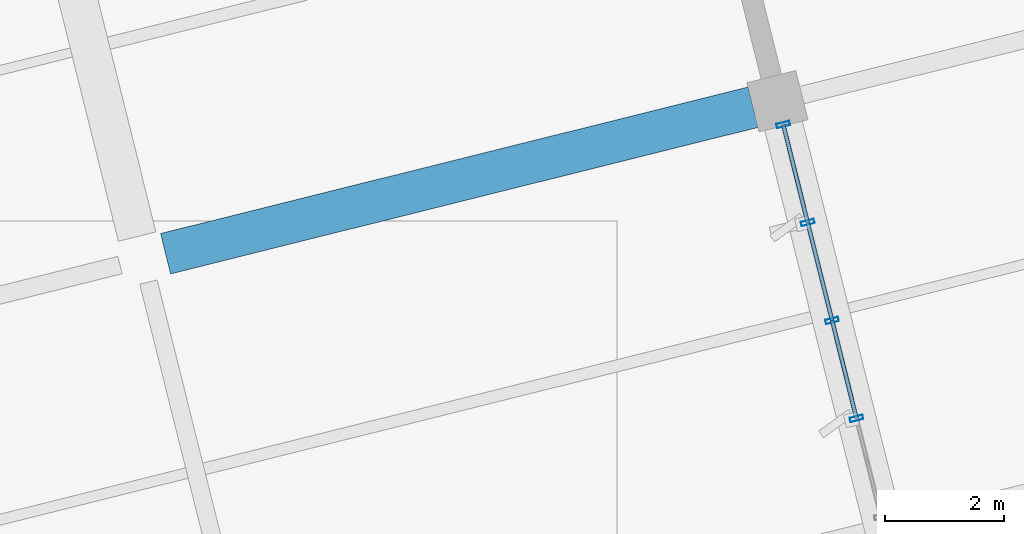
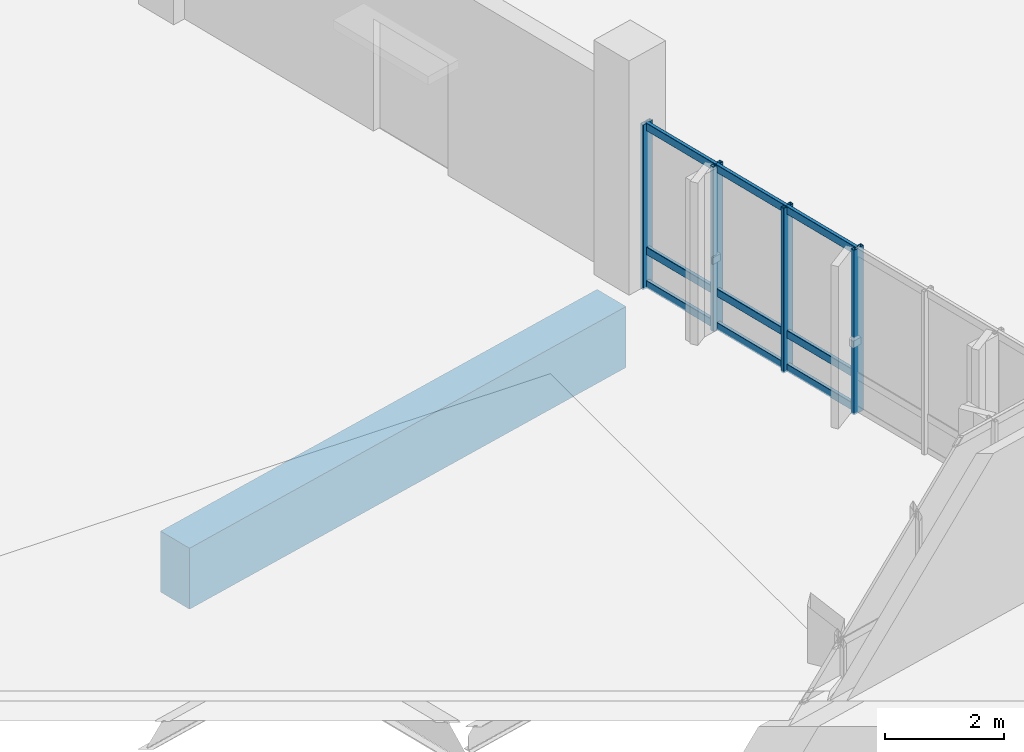
# One storey, part 74 of 137: 13 members, 1 beam, 1 element without a shape of its own.
"""IFC4 building model written with IfcOpenShell, lengths in metres."""

from ifc_helpers import new_model, si_unit, direction, frame, origin, origin_2d, place, context, subcontext, project, spatial, rectangle, hollow_rectangle, extrude, material, layer, layer_set, material_profile, profile_set, type_object, element, aggregate, save


model = new_model("IFC4")

# Units and contexts
model_context = context("Model", 3, precision=1e-05, world=origin(), true_north=direction((0.0, 1.0)))
body_context = subcontext(model_context, "Body", "Model", "MODEL_VIEW")
ifc_project = project(units=[si_unit("LENGTHUNIT", "METRE"), si_unit("AREAUNIT", "SQUARE_METRE"), si_unit("VOLUMEUNIT", "CUBIC_METRE"), si_unit("PLANEANGLEUNIT", "RADIAN"), si_unit("MASSUNIT", "GRAM", prefix="KILO")], contexts=[model_context])

# Site, building, storey
site_placement = place(None, origin())
site = spatial("IfcSite", under=ifc_project, at=site_placement, CompositionType="ELEMENT")
building_placement = place(site_placement, origin())
building = spatial("IfcBuilding", under=site, at=building_placement, Name="Khorjan Park Terminus", CompositionType="ELEMENT")
storey_placement = place(building_placement, frame((0.0, 0.0, 11.4)))
storey = spatial("IfcBuildingStorey", under=building, at=storey_placement, Name="L02", CompositionType="ELEMENT", Elevation=11.4)

# Beam
ifc_material_1 = material(Name="Concrete C40/50", Category="concrete")
ifc_material_profile_1 = material_profile(ifc_material_1, rectangle(XDim=0.7, YDim=1.25, at=origin_2d()), Name="RC 700x1250")
ifc_profile_set_1 = profile_set([ifc_material_profile_1], Name="Concrete C40/50")
beam_type = type_object("IfcBeamType", Name="BM-RC700x1250", PredefinedType="BEAM", material=ifc_profile_set_1)
beam_placement = place(storey_placement, frame((166.412, 47.4497, -0.895), z_axis=(0.970294782603, 0.241925680435, 0.0), x_axis=(-0.241925680435, 0.970294782603, 0.0)))
element("IfcBeam", 1, at=beam_placement, inside=storey, type_object=beam_type, Name="Primary skew-grid floor girder GB-125 (L02)", PredefinedType="BEAM", context=body_context, shape_type="SweptSolid", body=[
    extrude(rectangle(XDim=0.7, YDim=1.25, at=origin_2d()), origin(), (0.0, 0.0, 1.0), 10.1849),
])

# Curtain wall, members
ifc_material_2 = material(Name="Anodized Bronze Aluminium", Category="aluminium")
ifc_layer = layer(ifc_material_2, 0.22)
ifc_layer_set = layer_set([ifc_layer], Name="Anodized Bronze Aluminium")
curtain_wall_type = type_object("IfcCurtainWallType", Name="CW-OPS-B", PredefinedType="NOTDEFINED", material=ifc_layer_set)
curtain_wall_placement = place(storey_placement, origin())
curtain_wall = element("IfcCurtainWall", 2, at=curtain_wall_placement, inside=storey, type_object=curtain_wall_type, Name="Unitized curtain wall CW-B (CW-V5-NW1-L02-B03)", PredefinedType="NOTDEFINED")
ifc_material_profile_2 = material_profile(ifc_material_2, hollow_rectangle(XDim=0.075, YDim=0.225, WallThickness=0.005, InnerFilletRadius=0.005, OuterFilletRadius=0.01, at=origin_2d()), Name="ALM 75x225x5")
ifc_profile_set_2 = profile_set([ifc_material_profile_2], Name="Anodized Bronze Aluminium")
member_type_1 = type_object("IfcMemberType", Name="ML-ALM-225", PredefinedType="MULLION", material=ifc_profile_set_2)
member_1_placement = place(storey_placement, frame((176.8, 49.622, -0.035), z_axis=(0.0, 0.0, 1.0), x_axis=(0.241921344539, -0.970295863671, 0.0)))
member_1 = element("IfcMember", 3, at=member_1_placement, type_object=member_type_1, Name="Curtain-wall mullion ML-22 (CW-V5-NW1-L02-B03-0)", PredefinedType="MULLION", context=body_context, shape_type="SweptSolid", body=[
    extrude(hollow_rectangle(XDim=0.075, YDim=0.225, WallThickness=0.005, InnerFilletRadius=0.005, OuterFilletRadius=0.01, at=origin_2d()), origin(), (0.0, 0.0, 1.0), 3.375),
])
member_2_placement = place(storey_placement, frame((177.2108, 47.9742, -0.035), z_axis=(0.0, 0.0, 1.0), x_axis=(0.241921344539, -0.970295863671, 0.0)))
member_2 = element("IfcMember", 4, at=member_2_placement, type_object=member_type_1, Name="Curtain-wall mullion ML-22 (CW-V5-NW1-L02-B03-1)", PredefinedType="MULLION", context=body_context, shape_type="SweptSolid", body=[
    extrude(hollow_rectangle(XDim=0.075, YDim=0.225, WallThickness=0.005, InnerFilletRadius=0.005, OuterFilletRadius=0.01, at=origin_2d()), origin(), (0.0, 0.0, 1.0), 3.375),
])
member_3_placement = place(storey_placement, frame((177.6217, 46.3263, -0.035), z_axis=(0.0, 0.0, 1.0), x_axis=(0.241921344539, -0.970295863671, 0.0)))
member_3 = element("IfcMember", 5, at=member_3_placement, type_object=member_type_1, Name="Curtain-wall mullion ML-22 (CW-V5-NW1-L02-B03-2)", PredefinedType="MULLION", context=body_context, shape_type="SweptSolid", body=[
    extrude(hollow_rectangle(XDim=0.075, YDim=0.225, WallThickness=0.005, InnerFilletRadius=0.005, OuterFilletRadius=0.01, at=origin_2d()), origin(), (0.0, 0.0, 1.0), 3.375),
])
member_4_placement = place(storey_placement, frame((178.0326, 44.6785, -0.035), z_axis=(0.0, 0.0, 1.0), x_axis=(0.241921344539, -0.970295863671, 0.0)))
member_4 = element("IfcMember", 6, at=member_4_placement, type_object=member_type_1, Name="Curtain-wall mullion ML-22 (CW-V5-NW1-L02-B03-3)", PredefinedType="MULLION", context=body_context, shape_type="SweptSolid", body=[
    extrude(hollow_rectangle(XDim=0.075, YDim=0.225, WallThickness=0.005, InnerFilletRadius=0.005, OuterFilletRadius=0.01, at=origin_2d()), origin(), (0.0, 0.0, 1.0), 3.375),
])
ifc_material_profile_3 = material_profile(ifc_material_2, hollow_rectangle(XDim=0.07, YDim=0.16, WallThickness=0.004, InnerFilletRadius=0.004, OuterFilletRadius=0.008, at=origin_2d()), Name="ALT 70x160x4")
ifc_profile_set_3 = profile_set([ifc_material_profile_3], Name="Anodized Bronze Aluminium")
member_type_2 = type_object("IfcMemberType", Name="TR-ALT-160", PredefinedType="USERDEFINED", material=ifc_profile_set_3)
member_5_placement = place(storey_placement, frame((176.8, 49.622, 0.04), z_axis=(0.241898232719, -0.970301625788, 0.0), x_axis=(0.970301625788, 0.241898232719, 0.0)))
member_5 = element("IfcMember", 7, at=member_5_placement, type_object=member_type_2, Name="Curtain-wall transom TR-16 (CW-V5-NW1-L02-B03-0-1)", ObjectType="TRANSOM", PredefinedType="USERDEFINED", context=body_context, shape_type="SweptSolid", body=[
    extrude(hollow_rectangle(XDim=0.07, YDim=0.16, WallThickness=0.004, InnerFilletRadius=0.004, OuterFilletRadius=0.008, at=origin_2d()), origin(), (0.0, 0.0, 1.0), 1.6982),
])
member_6_placement = place(storey_placement, frame((176.8, 49.622, 0.727), z_axis=(0.241898232719, -0.970301625788, 0.0), x_axis=(0.970301625788, 0.241898232719, 0.0)))
member_6 = element("IfcMember", 8, at=member_6_placement, type_object=member_type_2, Name="Curtain-wall transom TR-16 (CW-V5-NW1-L02-B03-0-2)", ObjectType="TRANSOM", PredefinedType="USERDEFINED", context=body_context, shape_type="SweptSolid", body=[
    extrude(hollow_rectangle(XDim=0.07, YDim=0.16, WallThickness=0.004, InnerFilletRadius=0.004, OuterFilletRadius=0.008, at=origin_2d()), origin(), (0.0, 0.0, 1.0), 1.6982),
])
member_7_placement = place(storey_placement, frame((176.8, 49.622, 3.265), z_axis=(0.241898232719, -0.970301625788, 0.0), x_axis=(0.970301625788, 0.241898232719, 0.0)))
member_7 = element("IfcMember", 9, at=member_7_placement, type_object=member_type_2, Name="Curtain-wall transom TR-16 (CW-V5-NW1-L02-B03-0-3)", ObjectType="TRANSOM", PredefinedType="USERDEFINED", context=body_context, shape_type="SweptSolid", body=[
    extrude(hollow_rectangle(XDim=0.07, YDim=0.16, WallThickness=0.004, InnerFilletRadius=0.004, OuterFilletRadius=0.008, at=origin_2d()), origin(), (0.0, 0.0, 1.0), 1.6982),
])
member_8_placement = place(storey_placement, frame((177.2108, 47.9742, 0.04), z_axis=(0.241939847504, -0.970291250187, 0.0), x_axis=(0.970291250187, 0.241939847504, 0.0)))
member_8 = element("IfcMember", 10, at=member_8_placement, type_object=member_type_2, Name="Curtain-wall transom TR-16 (CW-V5-NW1-L02-B03-1-1)", ObjectType="TRANSOM", PredefinedType="USERDEFINED", context=body_context, shape_type="SweptSolid", body=[
    extrude(hollow_rectangle(XDim=0.07, YDim=0.16, WallThickness=0.004, InnerFilletRadius=0.004, OuterFilletRadius=0.008, at=origin_2d()), origin(), (0.0, 0.0, 1.0), 1.6984),
])
member_9_placement = place(storey_placement, frame((177.2108, 47.9742, 0.727), z_axis=(0.241939847504, -0.970291250187, 0.0), x_axis=(0.970291250187, 0.241939847504, 0.0)))
member_9 = element("IfcMember", 11, at=member_9_placement, type_object=member_type_2, Name="Curtain-wall transom TR-16 (CW-V5-NW1-L02-B03-1-2)", ObjectType="TRANSOM", PredefinedType="USERDEFINED", context=body_context, shape_type="SweptSolid", body=[
    extrude(hollow_rectangle(XDim=0.07, YDim=0.16, WallThickness=0.004, InnerFilletRadius=0.004, OuterFilletRadius=0.008, at=origin_2d()), origin(), (0.0, 0.0, 1.0), 1.6984),
])
member_10_placement = place(storey_placement, frame((177.2108, 47.9742, 3.265), z_axis=(0.241939847504, -0.970291250187, 0.0), x_axis=(0.970291250187, 0.241939847504, 0.0)))
member_10 = element("IfcMember", 12, at=member_10_placement, type_object=member_type_2, Name="Curtain-wall transom TR-16 (CW-V5-NW1-L02-B03-1-3)", ObjectType="TRANSOM", PredefinedType="USERDEFINED", context=body_context, shape_type="SweptSolid", body=[
    extrude(hollow_rectangle(XDim=0.07, YDim=0.16, WallThickness=0.004, InnerFilletRadius=0.004, OuterFilletRadius=0.008, at=origin_2d()), origin(), (0.0, 0.0, 1.0), 1.6984),
])
member_11_placement = place(storey_placement, frame((177.6217, 46.3263, 0.04), z_axis=(0.241953670584, -0.97028780333, 0.0), x_axis=(0.97028780333, 0.241953670584, 0.0)))
member_11 = element("IfcMember", 13, at=member_11_placement, type_object=member_type_2, Name="Curtain-wall transom TR-16 (CW-V5-NW1-L02-B03-2-1)", ObjectType="TRANSOM", PredefinedType="USERDEFINED", context=body_context, shape_type="SweptSolid", body=[
    extrude(hollow_rectangle(XDim=0.07, YDim=0.16, WallThickness=0.004, InnerFilletRadius=0.004, OuterFilletRadius=0.008, at=origin_2d()), origin(), (0.0, 0.0, 1.0), 1.6983),
])
member_12_placement = place(storey_placement, frame((177.6217, 46.3263, 0.727), z_axis=(0.241953670584, -0.97028780333, 0.0), x_axis=(0.97028780333, 0.241953670584, 0.0)))
member_12 = element("IfcMember", 14, at=member_12_placement, type_object=member_type_2, Name="Curtain-wall transom TR-16 (CW-V5-NW1-L02-B03-2-2)", ObjectType="TRANSOM", PredefinedType="USERDEFINED", context=body_context, shape_type="SweptSolid", body=[
    extrude(hollow_rectangle(XDim=0.07, YDim=0.16, WallThickness=0.004, InnerFilletRadius=0.004, OuterFilletRadius=0.008, at=origin_2d()), origin(), (0.0, 0.0, 1.0), 1.6983),
])
member_13_placement = place(storey_placement, frame((177.6217, 46.3263, 3.265), z_axis=(0.241953670584, -0.97028780333, 0.0), x_axis=(0.97028780333, 0.241953670584, 0.0)))
member_13 = element("IfcMember", 15, at=member_13_placement, type_object=member_type_2, Name="Curtain-wall transom TR-16 (CW-V5-NW1-L02-B03-2-3)", ObjectType="TRANSOM", PredefinedType="USERDEFINED", context=body_context, shape_type="SweptSolid", body=[
    extrude(hollow_rectangle(XDim=0.07, YDim=0.16, WallThickness=0.004, InnerFilletRadius=0.004, OuterFilletRadius=0.008, at=origin_2d()), origin(), (0.0, 0.0, 1.0), 1.6983),
])
aggregate(curtain_wall, [member_1, member_2, member_3, member_4, member_5, member_6, member_7, member_8, member_9, member_10, member_11, member_12, member_13])

save(model, "model.ifc")
